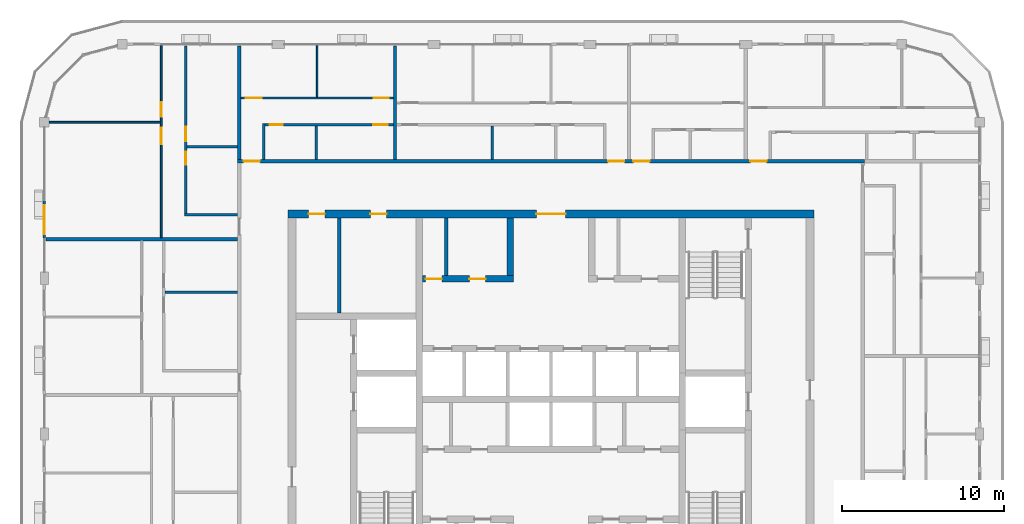
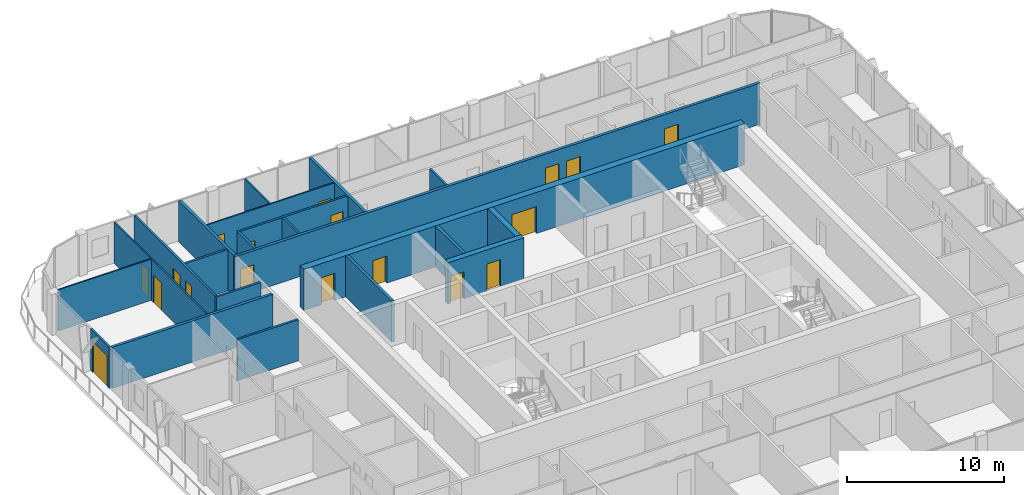
# One storey, part 13 of 21: 22 walls, 18 doors, 18 openings.
"""IFC4 building model written with IfcOpenShell, lengths in metres."""

from ifc_helpers import new_model, si_unit, direction, frame, frame_2d, origin, place, context, subcontext, project, spatial, rectangle, extrude, material, layer, layer_set, type_object, element, fill, save


model = new_model("IFC4")

# Units and contexts
model_context = context("Model", 3, precision=1e-05, world=origin(), true_north=direction((0.0, 1.0)))
body_context = subcontext(model_context, "Body", "Model", "MODEL_VIEW")
ifc_project = project(units=[si_unit("LENGTHUNIT", "METRE"), si_unit("AREAUNIT", "SQUARE_METRE"), si_unit("VOLUMEUNIT", "CUBIC_METRE"), si_unit("PLANEANGLEUNIT", "RADIAN"), si_unit("MASSUNIT", "GRAM", prefix="KILO")], contexts=[model_context])

# Site, building, storey
site_placement = place(None, origin())
site = spatial("IfcSite", under=ifc_project, at=site_placement, CompositionType="ELEMENT")
building_placement = place(site_placement, origin())
building = spatial("IfcBuilding", under=site, at=building_placement, Name="Madar Terraces", CompositionType="ELEMENT")
storey_placement = place(building_placement, frame((0.0, 0.0, 268.60009765625)))
storey = spatial("IfcBuildingStorey", under=building, at=storey_placement, Name="L70", CompositionType="ELEMENT", Elevation=268.60009765625)

# Wall, openings, doors
ifc_material_1 = material(Name="Concrete C50/60", Category="concrete")
ifc_layer_1 = layer(ifc_material_1, 0.39990234375)
ifc_layer_set_1 = layer_set([ifc_layer_1], Name="Concrete C50/60 (CIW6 RC wall 400)")
wall_type_1 = type_object("IfcWallType", Name="CIW6 RC wall 400", PredefinedType="SHEAR", material=ifc_layer_set_1)
wall_1_placement = place(storey_placement, frame((23.300048828125, 33.550048828125, 0.0), z_axis=(0.0, 0.0, 1.0), x_axis=(1.0, 0.0, 0.0)))
wall_1 = element("IfcWall", 1, at=wall_1_placement, inside=storey, type_object=wall_type_1, Name="CORE SHAFT WALL", PredefinedType="SHEAR", context=body_context, shape_type="SweptSolid", body=[
    extrude(rectangle(XDim=5.599853515625, YDim=0.39990234375, at=frame_2d((2.7998046875, 0.0))), origin(), (0.0, 0.0, 1.0), 3.199951171875),
])
opening_1_placement = place(wall_1_placement, frame((0.177978515625, 0.0, 0.0)))
opening_1 = element("IfcOpeningElement", 2, at=opening_1_placement, cuts=wall_1, Name="Opening KD2", PredefinedType="OPENING", context=body_context, shape_type="SweptSolid", body=[
    extrude(rectangle(XDim=1.0, YDim=2.10009765625, at=frame_2d((0.5, 1.050048828125))), frame((0.0, 0.2099609375, 0.0), z_axis=(0.0, -1.0, 0.0), x_axis=(1.0, 0.0, 0.0)), (0.0, 0.0, 1.0), 0.419921875),
])
opening_2_placement = place(wall_1_placement, frame((2.8779296875, 0.0, 0.0)))
opening_2 = element("IfcOpeningElement", 3, at=opening_2_placement, cuts=wall_1, Name="Opening KD2", PredefinedType="OPENING", context=body_context, shape_type="SweptSolid", body=[
    extrude(rectangle(XDim=1.0, YDim=2.10009765625, at=frame_2d((0.5, 1.050048828125))), frame((0.0, 0.2099609375, 0.0), z_axis=(0.0, -1.0, 0.0), x_axis=(1.0, 0.0, 0.0)), (0.0, 0.0, 1.0), 0.419921875),
])
ifc_material_2 = material(Name="Steel door leaf", Category="steel")
door_type_1 = type_object("IfcDoorType", Name="Service room door 1000 x 2100", OperationType="NOTDEFINED", PredefinedType="DOOR", material=ifc_material_2)
door_1_placement = place(opening_1_placement, frame((1.0, 0.0, 0.0), z_axis=(0.0, 0.0, 1.0), x_axis=(-1.0, 0.0, 0.0)))
door_1 = element("IfcDoor", 4, at=door_1_placement, inside=storey, type_object=door_type_1, Name="SERVICE ROOM DOOR", OperationType="SINGLE_SWING_LEFT", OverallHeight=2.10009765625, OverallWidth=1.0, PredefinedType="DOOR", context=body_context, shape_type="SweptSolid", body=[
    extrude(rectangle(XDim=1.0, YDim=2.10009765625, at=frame_2d((0.5, 1.050048828125))), frame((0.0, 0.02490234375, 0.0), z_axis=(0.0, -1.0, 0.0), x_axis=(1.0, 0.0, 0.0)), (0.0, 0.0, 1.0), 0.050048828125),
])
fill(opening_1, door_1)
door_2_placement = place(opening_2_placement, frame((1.0, 0.0, 0.0), z_axis=(0.0, 0.0, 1.0), x_axis=(-1.0, 0.0, 0.0)))
door_2 = element("IfcDoor", 5, at=door_2_placement, inside=storey, type_object=door_type_1, Name="SERVICE ROOM DOOR", OperationType="SINGLE_SWING_RIGHT", OverallHeight=2.10009765625, OverallWidth=1.0, PredefinedType="DOOR", context=body_context, shape_type="SweptSolid", body=[
    extrude(rectangle(XDim=1.0, YDim=2.10009765625, at=frame_2d((0.5, 1.050048828125))), frame((0.0, 0.02490234375, 0.0), z_axis=(0.0, -1.0, 0.0), x_axis=(1.0, 0.0, 0.0)), (0.0, 0.0, 1.0), 0.050048828125),
])
fill(opening_2, door_2)

# Wall
wall_2_placement = place(storey_placement, frame((28.699951171875, 33.75, 0.0), z_axis=(0.0, 0.0, 1.0), x_axis=(0.0, 1.0, 0.0)))
element("IfcWall", 6, at=wall_2_placement, inside=storey, type_object=wall_type_1, Name="CORE SHAFT WALL", PredefinedType="SHEAR", context=body_context, shape_type="SweptSolid", body=[
    extrude(rectangle(XDim=3.550048828125, YDim=0.39990234375, at=frame_2d((1.77490234375, 0.0))), origin(), (0.0, 0.0, 1.0), 3.199951171875),
])

# Wall, openings, doors
ifc_material_3 = material(Name="Concrete C50/60", Category="concrete")
ifc_layer_2 = layer(ifc_material_3, 0.5)
ifc_layer_set_2 = layer_set([ifc_layer_2], Name="Concrete C50/60 (CRW6 RC wall 500)")
wall_type_2 = type_object("IfcWallType", Name="CRW6 RC wall 500", PredefinedType="SHEAR", material=ifc_layer_set_2)
wall_3_placement = place(storey_placement, frame((15.0, 37.550048828125, 0.0), z_axis=(0.0, 0.0, 1.0), x_axis=(1.0, 0.0, 0.0)))
wall_3 = element("IfcWall", 7, at=wall_3_placement, inside=storey, type_object=wall_type_2, Name="CORE OUTER WALL", PredefinedType="SHEAR", context=body_context, shape_type="SweptSolid", body=[
    extrude(rectangle(XDim=32.39990234375, YDim=0.5, at=frame_2d((16.199951171875, 0.0))), origin(), (0.0, 0.0, 1.0), 3.199951171875),
])
opening_3_placement = place(wall_3_placement, frame((15.300048828125, 0.0, 0.0)))
opening_3 = element("IfcOpeningElement", 8, at=opening_3_placement, cuts=wall_3, Name="Opening KD1", PredefinedType="OPENING", context=body_context, shape_type="SweptSolid", body=[
    extrude(rectangle(XDim=1.800048828125, YDim=2.10009765625, at=frame_2d((0.89990234375, 1.050048828125))), frame((0.0, 0.260009765625, 0.0), z_axis=(0.0, -1.0, 0.0), x_axis=(1.0, 0.0, 0.0)), (0.0, 0.0, 1.0), 0.52001953125),
])
opening_4_placement = place(wall_3_placement, frame((1.281982421875, 0.0, 0.0)))
opening_4 = element("IfcOpeningElement", 9, at=opening_4_placement, cuts=wall_3, Name="Opening KD2", PredefinedType="OPENING", context=body_context, shape_type="SweptSolid", body=[
    extrude(rectangle(XDim=1.0, YDim=2.10009765625, at=frame_2d((0.5, 1.050048828125))), frame((0.0, 0.260009765625, 0.0), z_axis=(0.0, -1.0, 0.0), x_axis=(1.0, 0.0, 0.0)), (0.0, 0.0, 1.0), 0.52001953125),
])
opening_5_placement = place(wall_3_placement, frame((5.08203125, 0.0, 0.0)))
opening_5 = element("IfcOpeningElement", 10, at=opening_5_placement, cuts=wall_3, Name="Opening KD2", PredefinedType="OPENING", context=body_context, shape_type="SweptSolid", body=[
    extrude(rectangle(XDim=1.0, YDim=2.10009765625, at=frame_2d((0.5, 1.050048828125))), frame((0.0, 0.260009765625, 0.0), z_axis=(0.0, -1.0, 0.0), x_axis=(1.0, 0.0, 0.0)), (0.0, 0.0, 1.0), 0.52001953125),
])
ifc_material_4 = material(Name="Steel door leaf", Category="steel")
door_type_2 = type_object("IfcDoorType", Name="Lobby door pair 1800 x 2100", OperationType="DOUBLE_DOOR_SINGLE_SWING", PredefinedType="DOOR", material=ifc_material_4)
door_3_placement = place(opening_3_placement, origin())
door_3 = element("IfcDoor", 11, at=door_3_placement, inside=storey, type_object=door_type_2, Name="LIFT LOBBY DOOR", OperationType="DOUBLE_DOOR_SINGLE_SWING", OverallHeight=2.10009765625, OverallWidth=1.800048828125, PredefinedType="DOOR", context=body_context, shape_type="SweptSolid", body=[
    extrude(rectangle(XDim=1.800048828125, YDim=2.10009765625, at=frame_2d((0.89990234375, 1.050048828125))), frame((0.0, 0.02490234375, 0.0), z_axis=(0.0, -1.0, 0.0), x_axis=(1.0, 0.0, 0.0)), (0.0, 0.0, 1.0), 0.050048828125),
])
fill(opening_3, door_3)
door_4_placement = place(opening_4_placement, origin())
door_4 = element("IfcDoor", 12, at=door_4_placement, inside=storey, type_object=door_type_1, Name="SERVICE ROOM DOOR", OperationType="SINGLE_SWING_LEFT", OverallHeight=2.10009765625, OverallWidth=1.0, PredefinedType="DOOR", context=body_context, shape_type="SweptSolid", body=[
    extrude(rectangle(XDim=1.0, YDim=2.10009765625, at=frame_2d((0.5, 1.050048828125))), frame((0.0, 0.02490234375, 0.0), z_axis=(0.0, -1.0, 0.0), x_axis=(1.0, 0.0, 0.0)), (0.0, 0.0, 1.0), 0.050048828125),
])
fill(opening_4, door_4)
door_5_placement = place(opening_5_placement, origin())
door_5 = element("IfcDoor", 13, at=door_5_placement, inside=storey, type_object=door_type_1, Name="SERVICE ROOM DOOR", OperationType="SINGLE_SWING_RIGHT", OverallHeight=2.10009765625, OverallWidth=1.0, PredefinedType="DOOR", context=body_context, shape_type="SweptSolid", body=[
    extrude(rectangle(XDim=1.0, YDim=2.10009765625, at=frame_2d((0.5, 1.050048828125))), frame((0.0, 0.02490234375, 0.0), z_axis=(0.0, -1.0, 0.0), x_axis=(1.0, 0.0, 0.0)), (0.0, 0.0, 1.0), 0.050048828125),
])
fill(opening_5, door_5)

# Walls
ifc_material_5 = material(Name="Masonry blockwork", Category="masonry")
ifc_layer_3 = layer(ifc_material_5, 0.199951171875)
ifc_layer_set_3 = layer_set([ifc_layer_3], Name="Core partition 200 blockwork")
wall_type_3 = type_object("IfcWallType", Name="Core partition 200 blockwork", PredefinedType="PARTITIONING", material=ifc_layer_set_3)
wall_4_placement = place(storey_placement, frame((18.1640625, 31.449951171875, 0.0), z_axis=(0.0, 0.0, 1.0), x_axis=(0.0, 1.0, 0.0)))
element("IfcWall", 14, at=wall_4_placement, inside=storey, type_object=wall_type_3, Name="SERVICE ROOM PARTITION", PredefinedType="PARTITIONING", context=body_context, shape_type="SweptSolid", body=[
    extrude(rectangle(XDim=5.85009765625, YDim=0.199951171875, at=frame_2d((2.925048828125, 0.0))), origin(), (0.0, 0.0, 1.0), 3.199951171875),
])
wall_5_placement = place(storey_placement, frame((24.756103515625, 33.75, 0.0), z_axis=(0.0, 0.0, 1.0), x_axis=(0.0, 1.0, 0.0)))
element("IfcWall", 15, at=wall_5_placement, inside=storey, type_object=wall_type_3, Name="SERVICE ROOM PARTITION", PredefinedType="PARTITIONING", context=body_context, shape_type="SweptSolid", body=[
    extrude(rectangle(XDim=3.550048828125, YDim=0.199951171875, at=frame_2d((1.77490234375, 0.0))), origin(), (0.0, 0.0, 1.0), 3.199951171875),
])

# Wall, opening, door
ifc_material_6 = material(Name="Aluminium composite panel, black, over insulated backing", Category="aluminium")
ifc_layer_4 = layer(ifc_material_6, 0.14990234375)
ifc_layer_set_4 = layer_set([ifc_layer_4], Name="Facade bay panel 150")
wall_type_4 = type_object("IfcWallType", Name="Facade bay panel 150", PredefinedType="SOLIDWALL", material=ifc_layer_set_4)
wall_6_placement = place(storey_placement, frame((0.0, 38.39990234375, 0.0), z_axis=(0.0, 0.0, 1.0), x_axis=(0.0, -1.0, 0.0)))
wall_6 = element("IfcWall", 16, at=wall_6_placement, inside=storey, type_object=wall_type_4, Name="Facade bay panel", PredefinedType="SOLIDWALL", context=body_context, shape_type="SweptSolid", body=[
    extrude(rectangle(XDim=2.39990234375, YDim=0.14990234375, at=frame_2d((1.199951171875, 0.0))), origin(), (0.0, 0.0, 1.0), 3.199951171875),
])
opening_6_placement = place(wall_6_placement, frame((0.300048828125, 0.0, 0.0)))
opening_6 = element("IfcOpeningElement", 17, at=opening_6_placement, cuts=wall_6, Name="Opening ED1", PredefinedType="OPENING", context=body_context, shape_type="SweptSolid", body=[
    extrude(rectangle(XDim=1.800048828125, YDim=2.39990234375, at=frame_2d((0.89990234375, 1.199951171875))), frame((0.0, 0.0849609375, 0.0), z_axis=(0.0, -1.0, 0.0), x_axis=(1.0, 0.0, 0.0)), (0.0, 0.0, 1.0), 0.169921875),
])
ifc_material_7 = material(Name="Glass, clear, with black aluminium frame", Category="aluminium")
door_type_3 = type_object("IfcDoorType", Name="Balcony and terrace sliding door 1800 x 2400", OperationType="SLIDING_TO_LEFT", PredefinedType="DOOR", material=ifc_material_7)
door_6_placement = place(opening_6_placement, origin())
door_6 = element("IfcDoor", 18, at=door_6_placement, inside=storey, type_object=door_type_3, Name="Balcony door", OperationType="SLIDING_TO_LEFT", OverallHeight=2.39990234375, OverallWidth=1.800048828125, PredefinedType="DOOR", context=body_context, shape_type="SweptSolid", body=[
    extrude(rectangle(XDim=1.800048828125, YDim=2.39990234375, at=frame_2d((0.89990234375, 1.199951171875))), frame((0.0, 0.02490234375, 0.0), z_axis=(0.0, -1.0, 0.0), x_axis=(1.0, 0.0, 0.0)), (0.0, 0.0, 1.0), 0.050048828125),
])
fill(opening_6, door_6)

# Wall
ifc_material_8 = material(Name="Gypsum board on steel studs", Category="steel")
ifc_layer_5 = layer(ifc_material_8, 0.10009765625)
ifc_layer_set_5 = layer_set([ifc_layer_5], Name="Flat partition 100")
wall_type_5 = type_object("IfcWallType", Name="Flat partition 100", PredefinedType="PARTITIONING", material=ifc_layer_set_5)
wall_7_placement = place(storey_placement, frame((16.800048828125, 44.75, 0.0), z_axis=(0.0, 0.0, 1.0), x_axis=(0.0, 1.0, 0.0)))
element("IfcWall", 19, at=wall_7_placement, inside=storey, type_object=wall_type_5, Name="Flat partition 100", PredefinedType="PARTITIONING", context=body_context, shape_type="SweptSolid", body=[
    extrude(rectangle(XDim=3.14990234375, YDim=0.10009765625, at=frame_2d((1.574951171875, 0.0))), origin(), (0.0, 0.0, 1.0), 3.199951171875),
])

# Wall, openings, doors
wall_8_placement = place(storey_placement, frame((12.10009765625, 44.699951171875, 0.0), z_axis=(0.0, 0.0, 1.0), x_axis=(1.0, 0.0, 0.0)))
wall_8 = element("IfcWall", 20, at=wall_8_placement, inside=storey, type_object=wall_type_5, Name="Flat partition 100", PredefinedType="PARTITIONING", context=body_context, shape_type="SweptSolid", body=[
    extrude(rectangle(XDim=9.39990234375, YDim=0.10009765625, at=frame_2d((4.699951171875, 0.0))), origin(), (0.0, 0.0, 1.0), 3.199951171875),
])
opening_7_placement = place(wall_8_placement, frame((0.300048828125, 0.0, 0.0)))
opening_7 = element("IfcOpeningElement", 21, at=opening_7_placement, cuts=wall_8, Name="Opening D3", PredefinedType="OPENING", context=body_context, shape_type="SweptSolid", body=[
    extrude(rectangle(XDim=1.0, YDim=2.10009765625, at=frame_2d((0.5, 1.050048828125))), frame((0.0, 0.06005859375, 0.0), z_axis=(0.0, -1.0, 0.0), x_axis=(1.0, 0.0, 0.0)), (0.0, 0.0, 1.0), 0.1201171875),
])
opening_8_placement = place(wall_8_placement, frame((8.199951171875, 0.0, 0.0)))
opening_8 = element("IfcOpeningElement", 22, at=opening_8_placement, cuts=wall_8, Name="Opening D2", PredefinedType="OPENING", context=body_context, shape_type="SweptSolid", body=[
    extrude(rectangle(XDim=0.89990234375, YDim=2.10009765625, at=frame_2d((0.449951171875, 1.050048828125))), frame((0.0, 0.06005859375, 0.0), z_axis=(0.0, -1.0, 0.0), x_axis=(1.0, 0.0, 0.0)), (0.0, 0.0, 1.0), 0.1201171875),
])
ifc_material_9 = material(Name="Timber door leaf", Category="wood")
door_type_4 = type_object("IfcDoorType", Name="Flat living room door 1000", OperationType="NOTDEFINED", PredefinedType="DOOR", material=ifc_material_9)
door_7_placement = place(opening_7_placement, origin())
door_7 = element("IfcDoor", 23, at=door_7_placement, inside=storey, type_object=door_type_4, Name="Flat living room door 1000", OperationType="SINGLE_SWING_LEFT", OverallHeight=2.10009765625, OverallWidth=1.0, PredefinedType="DOOR", context=body_context, shape_type="SweptSolid", body=[
    extrude(rectangle(XDim=1.0, YDim=2.10009765625, at=frame_2d((0.5, 1.050048828125))), frame((0.0, 0.02490234375, 0.0), z_axis=(0.0, -1.0, 0.0), x_axis=(1.0, 0.0, 0.0)), (0.0, 0.0, 1.0), 0.050048828125),
])
fill(opening_7, door_7)
ifc_material_10 = material(Name="Timber door leaf", Category="wood")
door_type_5 = type_object("IfcDoorType", Name="Flat room door 900", OperationType="NOTDEFINED", PredefinedType="DOOR", material=ifc_material_10)
door_8_placement = place(opening_8_placement, origin())
door_8 = element("IfcDoor", 24, at=door_8_placement, inside=storey, type_object=door_type_5, Name="Flat room door 900", OperationType="SINGLE_SWING_RIGHT", OverallHeight=2.10009765625, OverallWidth=0.89990234375, PredefinedType="DOOR", context=body_context, shape_type="SweptSolid", body=[
    extrude(rectangle(XDim=0.89990234375, YDim=2.10009765625, at=frame_2d((0.449951171875, 1.050048828125))), frame((0.0, 0.02490234375, 0.0), z_axis=(0.0, -1.0, 0.0), x_axis=(1.0, 0.0, 0.0)), (0.0, 0.0, 1.0), 0.050048828125),
])
fill(opening_8, door_8)

# Wall
wall_9_placement = place(storey_placement, frame((7.14990234375, 43.199951171875, 0.0), z_axis=(0.0, 0.0, 1.0), x_axis=(-1.0, 0.0, 0.0)))
element("IfcWall", 25, at=wall_9_placement, inside=storey, type_object=wall_type_5, Name="Flat partition 100", PredefinedType="PARTITIONING", context=body_context, shape_type="SweptSolid", body=[
    extrude(rectangle(XDim=6.849853515625, YDim=0.10009765625, at=frame_2d((3.4248046875, 0.0))), origin(), (0.0, 0.0, 1.0), 3.199951171875),
])

# Wall, openings, doors
wall_10_placement = place(storey_placement, frame((7.199951171875, 36.10009765625, 0.0), z_axis=(0.0, 0.0, 1.0), x_axis=(0.0, 1.0, 0.0)))
wall_10 = element("IfcWall", 26, at=wall_10_placement, inside=storey, type_object=wall_type_5, Name="Flat partition 100", PredefinedType="PARTITIONING", context=body_context, shape_type="SweptSolid", body=[
    extrude(rectangle(XDim=11.7998046875, YDim=0.10009765625, at=frame_2d((5.89990234375, 0.0))), origin(), (0.0, 0.0, 1.0), 3.199951171875),
])
opening_9_placement = place(wall_10_placement, frame((5.75, 0.0, 0.0)))
opening_9 = element("IfcOpeningElement", 27, at=opening_9_placement, cuts=wall_10, Name="Opening D3", PredefinedType="OPENING", context=body_context, shape_type="SweptSolid", body=[
    extrude(rectangle(XDim=1.0, YDim=2.10009765625, at=frame_2d((0.5, 1.050048828125))), frame((0.0, 0.06005859375, 0.0), z_axis=(0.0, -1.0, 0.0), x_axis=(1.0, 0.0, 0.0)), (0.0, 0.0, 1.0), 0.1201171875),
])
opening_10_placement = place(wall_10_placement, frame((7.449951171875, 0.0, 0.0)))
opening_10 = element("IfcOpeningElement", 28, at=opening_10_placement, cuts=wall_10, Name="Opening D2", PredefinedType="OPENING", context=body_context, shape_type="SweptSolid", body=[
    extrude(rectangle(XDim=0.89990234375, YDim=2.10009765625, at=frame_2d((0.449951171875, 1.050048828125))), frame((0.0, 0.06005859375, 0.0), z_axis=(0.0, -1.0, 0.0), x_axis=(1.0, 0.0, 0.0)), (0.0, 0.0, 1.0), 0.1201171875),
])
door_9_placement = place(opening_9_placement, origin())
door_9 = element("IfcDoor", 29, at=door_9_placement, inside=storey, type_object=door_type_4, Name="Flat living room door 1000", OperationType="SINGLE_SWING_RIGHT", OverallHeight=2.10009765625, OverallWidth=1.0, PredefinedType="DOOR", context=body_context, shape_type="SweptSolid", body=[
    extrude(rectangle(XDim=1.0, YDim=2.10009765625, at=frame_2d((0.5, 1.050048828125))), frame((0.0, 0.02490234375, 0.0), z_axis=(0.0, -1.0, 0.0), x_axis=(1.0, 0.0, 0.0)), (0.0, 0.0, 1.0), 0.050048828125),
])
fill(opening_9, door_9)
door_10_placement = place(opening_10_placement, origin())
door_10 = element("IfcDoor", 30, at=door_10_placement, inside=storey, type_object=door_type_5, Name="Flat room door 900", OperationType="SINGLE_SWING_LEFT", OverallHeight=2.10009765625, OverallWidth=0.89990234375, PredefinedType="DOOR", context=body_context, shape_type="SweptSolid", body=[
    extrude(rectangle(XDim=0.89990234375, YDim=2.10009765625, at=frame_2d((0.449951171875, 1.050048828125))), frame((0.0, 0.02490234375, 0.0), z_axis=(0.0, -1.0, 0.0), x_axis=(1.0, 0.0, 0.0)), (0.0, 0.0, 1.0), 0.050048828125),
])
fill(opening_10, door_10)

ifc_material_11 = material(Name="Lightweight blockwork", Category="masonry")
ifc_layer_6 = layer(ifc_material_11, 0.199951171875)
ifc_layer_set_6 = layer_set([ifc_layer_6], Name="Flat party and entrance wall 200")
wall_type_6 = type_object("IfcWallType", Name="Flat party and entrance wall 200", PredefinedType="PARTITIONING", material=ifc_layer_set_6)
wall_11_placement = place(storey_placement, frame((11.89990234375, 40.800048828125, 0.0), z_axis=(0.0, 0.0, 1.0), x_axis=(1.0, 0.0, 0.0)))
wall_11 = element("IfcWall", 31, at=wall_11_placement, inside=storey, type_object=wall_type_6, Name="Flat party and entrance wall 200", PredefinedType="PARTITIONING", context=body_context, shape_type="SweptSolid", body=[
    extrude(rectangle(XDim=38.60009765625, YDim=0.199951171875, at=frame_2d((19.300048828125, 0.0))), origin(), (0.0, 0.0, 1.0), 3.199951171875),
])
opening_11_placement = place(wall_11_placement, frame((31.574951171875, 0.0, 0.0)))
opening_11 = element("IfcOpeningElement", 32, at=opening_11_placement, cuts=wall_11, Name="Opening D1", PredefinedType="OPENING", context=body_context, shape_type="SweptSolid", body=[
    extrude(rectangle(XDim=1.0, YDim=2.10009765625, at=frame_2d((0.5, 1.050048828125))), frame((0.0, 0.10986328125, 0.0), z_axis=(0.0, -1.0, 0.0), x_axis=(1.0, 0.0, 0.0)), (0.0, 0.0, 1.0), 0.219970703125),
])
opening_12_placement = place(wall_11_placement, frame((24.375, 0.0, 0.0)))
opening_12 = element("IfcOpeningElement", 33, at=opening_12_placement, cuts=wall_11, Name="Opening D1", PredefinedType="OPENING", context=body_context, shape_type="SweptSolid", body=[
    extrude(rectangle(XDim=1.0, YDim=2.10009765625, at=frame_2d((0.5, 1.050048828125))), frame((0.0, 0.10986328125, 0.0), z_axis=(0.0, -1.0, 0.0), x_axis=(1.0, 0.0, 0.0)), (0.0, 0.0, 1.0), 0.219970703125),
])
opening_13_placement = place(wall_11_placement, frame((22.824951171875, 0.0, 0.0)))
opening_13 = element("IfcOpeningElement", 34, at=opening_13_placement, cuts=wall_11, Name="Opening D1", PredefinedType="OPENING", context=body_context, shape_type="SweptSolid", body=[
    extrude(rectangle(XDim=1.0, YDim=2.10009765625, at=frame_2d((0.5, 1.050048828125))), frame((0.0, 0.10986328125, 0.0), z_axis=(0.0, -1.0, 0.0), x_axis=(1.0, 0.0, 0.0)), (0.0, 0.0, 1.0), 0.219970703125),
])
opening_14_placement = place(wall_11_placement, frame((0.375, 0.0, 0.0)))
opening_14 = element("IfcOpeningElement", 35, at=opening_14_placement, cuts=wall_11, Name="Opening D1", PredefinedType="OPENING", context=body_context, shape_type="SweptSolid", body=[
    extrude(rectangle(XDim=1.0, YDim=2.10009765625, at=frame_2d((0.5, 1.050048828125))), frame((0.0, 0.10986328125, 0.0), z_axis=(0.0, -1.0, 0.0), x_axis=(1.0, 0.0, 0.0)), (0.0, 0.0, 1.0), 0.219970703125),
])
ifc_material_12 = material(Name="Timber fire door leaf", Category="wood")
door_type_6 = type_object("IfcDoorType", Name="Flat entrance door 1000 FD30S", OperationType="NOTDEFINED", PredefinedType="DOOR", material=ifc_material_12)
door_11_placement = place(opening_11_placement, origin())
door_11 = element("IfcDoor", 36, at=door_11_placement, inside=storey, type_object=door_type_6, Name="Flat entrance door 1000 FD30S", OperationType="SINGLE_SWING_LEFT", OverallHeight=2.10009765625, OverallWidth=1.0, PredefinedType="DOOR", context=body_context, shape_type="SweptSolid", body=[
    extrude(rectangle(XDim=1.0, YDim=2.10009765625, at=frame_2d((0.5, 1.050048828125))), frame((0.0, 0.02490234375, 0.0), z_axis=(0.0, -1.0, 0.0), x_axis=(1.0, 0.0, 0.0)), (0.0, 0.0, 1.0), 0.050048828125),
])
fill(opening_11, door_11)
door_12_placement = place(opening_12_placement, origin())
door_12 = element("IfcDoor", 37, at=door_12_placement, inside=storey, type_object=door_type_6, Name="Flat entrance door 1000 FD30S", OperationType="SINGLE_SWING_LEFT", OverallHeight=2.10009765625, OverallWidth=1.0, PredefinedType="DOOR", context=body_context, shape_type="SweptSolid", body=[
    extrude(rectangle(XDim=1.0, YDim=2.10009765625, at=frame_2d((0.5, 1.050048828125))), frame((0.0, 0.02490234375, 0.0), z_axis=(0.0, -1.0, 0.0), x_axis=(1.0, 0.0, 0.0)), (0.0, 0.0, 1.0), 0.050048828125),
])
fill(opening_12, door_12)
door_13_placement = place(opening_13_placement, origin())
door_13 = element("IfcDoor", 38, at=door_13_placement, inside=storey, type_object=door_type_6, Name="Flat entrance door 1000 FD30S", OperationType="SINGLE_SWING_RIGHT", OverallHeight=2.10009765625, OverallWidth=1.0, PredefinedType="DOOR", context=body_context, shape_type="SweptSolid", body=[
    extrude(rectangle(XDim=1.0, YDim=2.10009765625, at=frame_2d((0.5, 1.050048828125))), frame((0.0, 0.02490234375, 0.0), z_axis=(0.0, -1.0, 0.0), x_axis=(1.0, 0.0, 0.0)), (0.0, 0.0, 1.0), 0.050048828125),
])
fill(opening_13, door_13)
door_14_placement = place(opening_14_placement, origin())
door_14 = element("IfcDoor", 39, at=door_14_placement, inside=storey, type_object=door_type_6, Name="Flat entrance door 1000 FD30S", OperationType="SINGLE_SWING_LEFT", OverallHeight=2.10009765625, OverallWidth=1.0, PredefinedType="DOOR", context=body_context, shape_type="SweptSolid", body=[
    extrude(rectangle(XDim=1.0, YDim=2.10009765625, at=frame_2d((0.5, 1.050048828125))), frame((0.0, 0.02490234375, 0.0), z_axis=(0.0, -1.0, 0.0), x_axis=(1.0, 0.0, 0.0)), (0.0, 0.0, 1.0), 0.050048828125),
])
fill(opening_14, door_14)

# Walls
for number, where, z_axis, x_axis, name in (
    (40, (21.60009765625, 47.89990234375, 0.0), (0.0, 0.0, 1.0), (0.0, -1.0, 0.0), "Flat party and entrance wall 200"),
    (41, (12.0, 47.89990234375, 0.0), (0.0, 0.0, 1.0), (0.0, -1.0, 0.0), "Flat party and entrance wall 200"),
):
    element("IfcWall", number, at=place(storey_placement, frame(where, z_axis=z_axis, x_axis=x_axis)), inside=storey, type_object=wall_type_6, Name=name, PredefinedType="PARTITIONING", context=body_context, shape_type="SweptSolid", body=[
        extrude(rectangle(XDim=7.0, YDim=0.199951171875, at=frame_2d((3.5, 0.0))), origin(), (0.0, 0.0, 1.0), 3.199951171875),
    ])
wall_12_placement = place(storey_placement, frame((0.10009765625, 36.0, 0.0), z_axis=(0.0, 0.0, 1.0), x_axis=(1.0, 0.0, 0.0)))
element("IfcWall", 42, at=wall_12_placement, inside=storey, type_object=wall_type_6, Name="Flat party and entrance wall 200", PredefinedType="PARTITIONING", context=body_context, shape_type="SweptSolid", body=[
    extrude(rectangle(XDim=11.7998046875, YDim=0.199951171875, at=frame_2d((5.89990234375, 0.0))), origin(), (0.0, 0.0, 1.0), 3.199951171875),
])
ifc_material_13 = material(Name="Lightweight blockwork", Category="masonry")
ifc_layer_7 = layer(ifc_material_13, 0.14990234375)
ifc_layer_set_7 = layer_set([ifc_layer_7], Name="Flat wet-room partition 150")
wall_type_7 = type_object("IfcWallType", Name="Flat wet-room partition 150", PredefinedType="PARTITIONING", material=ifc_layer_set_7)
for number, where, z_axis, x_axis, name in (
    (43, (27.572998046875, 40.89990234375, 0.0), (0.0, 0.0, 1.0), (0.0, 1.0, 0.0), "Flat wet-room partition 150"),
    (44, (16.7451171875, 40.89990234375, 0.0), (0.0, 0.0, 1.0), (0.0, 1.0, 0.0), "Flat wet-room partition 150"),
):
    element("IfcWall", number, at=place(storey_placement, frame(where, z_axis=z_axis, x_axis=x_axis)), inside=storey, type_object=wall_type_7, Name=name, PredefinedType="PARTITIONING", context=body_context, shape_type="SweptSolid", body=[
        extrude(rectangle(XDim=2.0751953125, YDim=0.14990234375, at=frame_2d((1.03759765625, 0.0))), origin(), (0.0, 0.0, 1.0), 3.199951171875),
    ])
wall_13_placement = place(storey_placement, frame((13.5, 40.89990234375, 0.0), z_axis=(0.0, 0.0, 1.0), x_axis=(0.0, 1.0, 0.0)))
element("IfcWall", 45, at=wall_13_placement, inside=storey, type_object=wall_type_7, Name="Flat wet-room partition 150", PredefinedType="PARTITIONING", context=body_context, shape_type="SweptSolid", body=[
    extrude(rectangle(XDim=2.22509765625, YDim=0.14990234375, at=frame_2d((1.112548828125, 0.0))), origin(), (0.0, 0.0, 1.0), 3.199951171875),
])

# Wall, openings, doors
wall_14_placement = place(storey_placement, frame((21.5, 43.050048828125, 0.0), z_axis=(0.0, 0.0, 1.0), x_axis=(-1.0, 0.0, 0.0)))
wall_14 = element("IfcWall", 46, at=wall_14_placement, inside=storey, type_object=wall_type_7, Name="Flat wet-room partition 150", PredefinedType="PARTITIONING", context=body_context, shape_type="SweptSolid", body=[
    extrude(rectangle(XDim=7.925048828125, YDim=0.14990234375, at=frame_2d((3.96240234375, 0.0))), origin(), (0.0, 0.0, 1.0), 3.199951171875),
])
opening_15_placement = place(wall_14_placement, frame((6.824951171875, 0.0, 0.0)))
opening_15 = element("IfcOpeningElement", 47, at=opening_15_placement, cuts=wall_14, Name="Opening D4", PredefinedType="OPENING", context=body_context, shape_type="SweptSolid", body=[
    extrude(rectangle(XDim=0.800048828125, YDim=2.10009765625, at=frame_2d((0.39990234375, 1.050048828125))), frame((0.0, 0.0849609375, 0.0), z_axis=(0.0, -1.0, 0.0), x_axis=(1.0, 0.0, 0.0)), (0.0, 0.0, 1.0), 0.169921875),
])
opening_16_placement = place(wall_14_placement, frame((0.35009765625, 0.0, 0.0)))
opening_16 = element("IfcOpeningElement", 48, at=opening_16_placement, cuts=wall_14, Name="Opening D2", PredefinedType="OPENING", context=body_context, shape_type="SweptSolid", body=[
    extrude(rectangle(XDim=0.89990234375, YDim=2.10009765625, at=frame_2d((0.449951171875, 1.050048828125))), frame((0.0, 0.0849609375, 0.0), z_axis=(0.0, -1.0, 0.0), x_axis=(1.0, 0.0, 0.0)), (0.0, 0.0, 1.0), 0.169921875),
])
ifc_material_14 = material(Name="Timber door leaf", Category="wood")
door_type_7 = type_object("IfcDoorType", Name="Flat bathroom door 800", OperationType="NOTDEFINED", PredefinedType="DOOR", material=ifc_material_14)
door_15_placement = place(opening_15_placement, origin())
door_15 = element("IfcDoor", 49, at=door_15_placement, inside=storey, type_object=door_type_7, Name="Flat bathroom door 800", OperationType="SINGLE_SWING_RIGHT", OverallHeight=2.10009765625, OverallWidth=0.800048828125, PredefinedType="DOOR", context=body_context, shape_type="SweptSolid", body=[
    extrude(rectangle(XDim=0.800048828125, YDim=2.10009765625, at=frame_2d((0.39990234375, 1.050048828125))), frame((0.0, 0.02490234375, 0.0), z_axis=(0.0, -1.0, 0.0), x_axis=(1.0, 0.0, 0.0)), (0.0, 0.0, 1.0), 0.050048828125),
])
fill(opening_15, door_15)
door_16_placement = place(opening_16_placement, origin())
door_16 = element("IfcDoor", 50, at=door_16_placement, inside=storey, type_object=door_type_5, Name="Flat room door 900", OperationType="SINGLE_SWING_LEFT", OverallHeight=2.10009765625, OverallWidth=0.89990234375, PredefinedType="DOOR", context=body_context, shape_type="SweptSolid", body=[
    extrude(rectangle(XDim=0.89990234375, YDim=2.10009765625, at=frame_2d((0.449951171875, 1.050048828125))), frame((0.0, 0.02490234375, 0.0), z_axis=(0.0, -1.0, 0.0), x_axis=(1.0, 0.0, 0.0)), (0.0, 0.0, 1.0), 0.050048828125),
])
fill(opening_16, door_16)

# Walls
wall_15_placement = place(storey_placement, frame((11.89990234375, 41.705078125, 0.0), z_axis=(0.0, 0.0, 1.0), x_axis=(-1.0, 0.0, 0.0)))
element("IfcWall", 51, at=wall_15_placement, inside=storey, type_object=wall_type_7, Name="Flat wet-room partition 150", PredefinedType="PARTITIONING", context=body_context, shape_type="SweptSolid", body=[
    extrude(rectangle(XDim=3.125, YDim=0.14990234375, at=frame_2d((1.5625, 0.0))), origin(), (0.0, 0.0, 1.0), 3.199951171875),
])
wall_16_placement = place(storey_placement, frame((11.89990234375, 37.5, 0.0), z_axis=(0.0, 0.0, 1.0), x_axis=(-1.0, 0.0, 0.0)))
element("IfcWall", 52, at=wall_16_placement, inside=storey, type_object=wall_type_7, Name="Flat wet-room partition 150", PredefinedType="PARTITIONING", context=body_context, shape_type="SweptSolid", body=[
    extrude(rectangle(XDim=3.27490234375, YDim=0.14990234375, at=frame_2d((1.637451171875, 0.0))), origin(), (0.0, 0.0, 1.0), 3.199951171875),
])

# Wall, openings, doors
wall_17_placement = place(storey_placement, frame((8.699951171875, 47.89990234375, 0.0), z_axis=(0.0, 0.0, 1.0), x_axis=(0.0, -1.0, 0.0)))
wall_17 = element("IfcWall", 53, at=wall_17_placement, inside=storey, type_object=wall_type_7, Name="Flat wet-room partition 150", PredefinedType="PARTITIONING", context=body_context, shape_type="SweptSolid", body=[
    extrude(rectangle(XDim=10.324951171875, YDim=0.14990234375, at=frame_2d((5.16259765625, 0.0))), origin(), (0.0, 0.0, 1.0), 3.199951171875),
])
opening_17_placement = place(wall_17_placement, frame((6.52001953125, 0.0, 0.0)))
opening_17 = element("IfcOpeningElement", 54, at=opening_17_placement, cuts=wall_17, Name="Opening D4", PredefinedType="OPENING", context=body_context, shape_type="SweptSolid", body=[
    extrude(rectangle(XDim=0.800048828125, YDim=2.10009765625, at=frame_2d((0.39990234375, 1.050048828125))), frame((0.0, 0.0849609375, 0.0), z_axis=(0.0, -1.0, 0.0), x_axis=(1.0, 0.0, 0.0)), (0.0, 0.0, 1.0), 0.169921875),
])
opening_18_placement = place(wall_17_placement, frame((4.969970703125, 0.0, 0.0)))
opening_18 = element("IfcOpeningElement", 55, at=opening_18_placement, cuts=wall_17, Name="Opening D2", PredefinedType="OPENING", context=body_context, shape_type="SweptSolid", body=[
    extrude(rectangle(XDim=0.89990234375, YDim=2.10009765625, at=frame_2d((0.449951171875, 1.050048828125))), frame((0.0, 0.0849609375, 0.0), z_axis=(0.0, -1.0, 0.0), x_axis=(1.0, 0.0, 0.0)), (0.0, 0.0, 1.0), 0.169921875),
])
door_17_placement = place(opening_17_placement, origin())
door_17 = element("IfcDoor", 56, at=door_17_placement, inside=storey, type_object=door_type_7, Name="Flat bathroom door 800", OperationType="SINGLE_SWING_LEFT", OverallHeight=2.10009765625, OverallWidth=0.800048828125, PredefinedType="DOOR", context=body_context, shape_type="SweptSolid", body=[
    extrude(rectangle(XDim=0.800048828125, YDim=2.10009765625, at=frame_2d((0.39990234375, 1.050048828125))), frame((0.0, 0.02490234375, 0.0), z_axis=(0.0, -1.0, 0.0), x_axis=(1.0, 0.0, 0.0)), (0.0, 0.0, 1.0), 0.050048828125),
])
fill(opening_17, door_17)
door_18_placement = place(opening_18_placement, origin())
door_18 = element("IfcDoor", 57, at=door_18_placement, inside=storey, type_object=door_type_5, Name="Flat room door 900", OperationType="SINGLE_SWING_RIGHT", OverallHeight=2.10009765625, OverallWidth=0.89990234375, PredefinedType="DOOR", context=body_context, shape_type="SweptSolid", body=[
    extrude(rectangle(XDim=0.89990234375, YDim=2.10009765625, at=frame_2d((0.449951171875, 1.050048828125))), frame((0.0, 0.02490234375, 0.0), z_axis=(0.0, -1.0, 0.0), x_axis=(1.0, 0.0, 0.0)), (0.0, 0.0, 1.0), 0.050048828125),
])
fill(opening_18, door_18)

# Wall
wall_18_placement = place(storey_placement, frame((11.89990234375, 32.72998046875, 0.0), z_axis=(0.0, 0.0, 1.0), x_axis=(-1.0, 0.0, 0.0)))
element("IfcWall", 58, at=wall_18_placement, inside=storey, type_object=wall_type_7, Name="Flat wet-room partition 150", PredefinedType="PARTITIONING", context=body_context, shape_type="SweptSolid", body=[
    extrude(rectangle(XDim=4.474853515625, YDim=0.14990234375, at=frame_2d((2.2373046875, 0.0))), origin(), (0.0, 0.0, 1.0), 3.199951171875),
])

save(model, "model.ifc")
